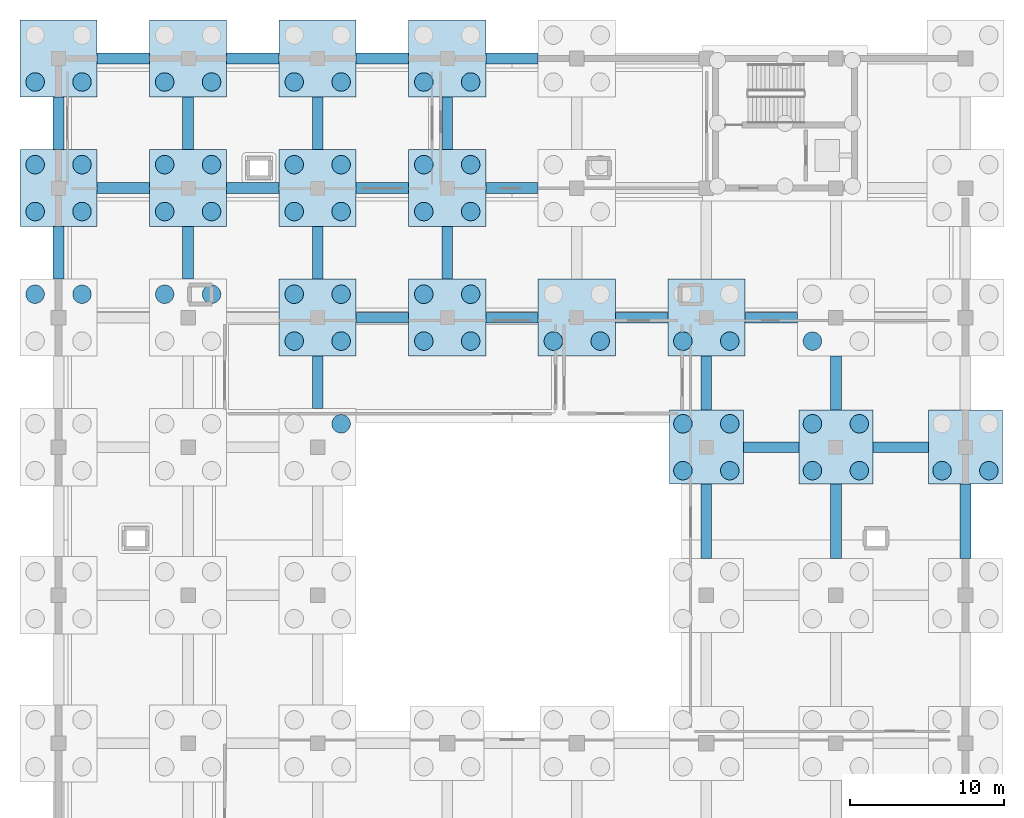
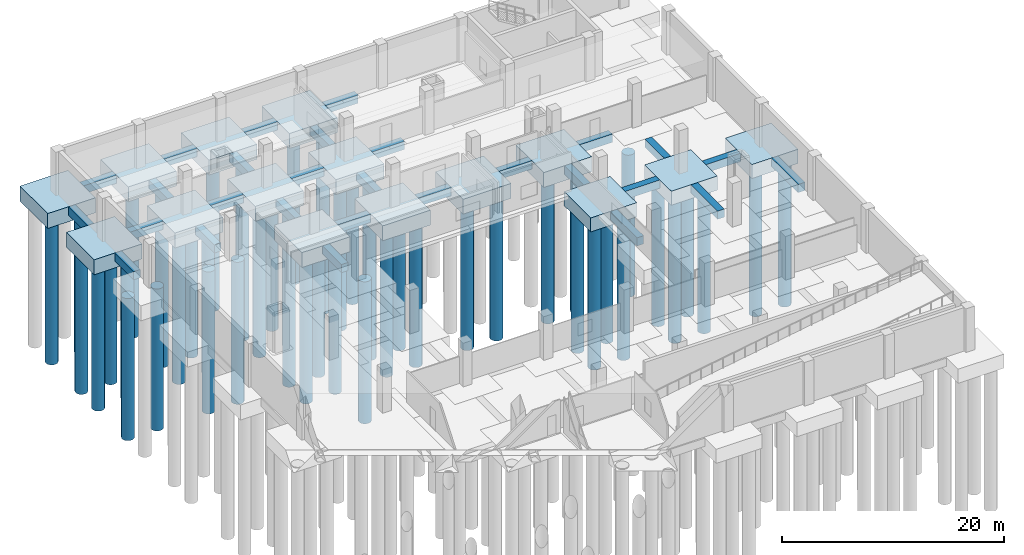
# One storey, part 3 of 12: 52 piles, 43 footings.
"""IFC4 building model written with IfcOpenShell, lengths in metres."""

from ifc_helpers import new_model, si_unit, direction, frame, origin, origin_2d, place, context, subcontext, project, spatial, polyline, circle, outline, extrude, material, layer, layer_set, material_profile, profile_set, type_object, element, save


model = new_model("IFC4")

# Units and contexts
model_context = context("Model", 3, precision=1e-05, world=origin(), true_north=direction((0.0, 1.0)))
body_context = subcontext(model_context, "Body", "Model", "MODEL_VIEW")
ifc_project = project(units=[si_unit("LENGTHUNIT", "METRE"), si_unit("AREAUNIT", "SQUARE_METRE"), si_unit("VOLUMEUNIT", "CUBIC_METRE"), si_unit("PLANEANGLEUNIT", "RADIAN"), si_unit("MASSUNIT", "GRAM", prefix="KILO")], contexts=[model_context])

# Site, building, storey
site_placement = place(None, origin())
site = spatial("IfcSite", under=ifc_project, at=site_placement, CompositionType="ELEMENT")
building_placement = place(site_placement, origin())
building = spatial("IfcBuilding", under=site, at=building_placement, Name="Zulmaris Art Gallery", CompositionType="ELEMENT")
storey_placement = place(building_placement, frame((0.0, 0.0, -4.800048828125)))
storey = spatial("IfcBuildingStorey", under=building, at=storey_placement, Name="B1", CompositionType="ELEMENT", Elevation=-4.800048828125)

# Footings
ifc_material = material(Name="Concrete C40/50", Category="concrete")
ifc_layer_1 = layer(ifc_material, 0.89990234375)
ifc_layer_set_1 = layer_set([ifc_layer_1], Name="Concrete C40/50")
footing_type_1 = type_object("IfcFootingType", Name="FTG-GB02", PredefinedType="FOOTING_BEAM", material=ifc_layer_set_1)
footing_1_placement = place(storey_placement, frame((0.0, 0.0, -0.89990234375)))
element("IfcFooting", 1, at=footing_1_placement, inside=storey, type_object=footing_type_1, Name="B1 ground tie beam X", PredefinedType="FOOTING_BEAM", context=body_context, shape_type="SweptSolid", body=[
    extrude(outline(polyline([(186.0, 50.050048828125), (189.60009765625, 50.050048828125), (189.60009765625, 50.75), (186.0, 50.75), (186.0, 50.050048828125)])), origin(), (0.0, 0.0, 1.0), 0.89990234375),
])
footing_2_placement = place(storey_placement, frame((0.0, 0.0, -0.89990234375)))
element("IfcFooting", 2, at=footing_2_placement, inside=storey, type_object=footing_type_1, Name="B1 ground tie beam X", PredefinedType="FOOTING_BEAM", context=body_context, shape_type="SweptSolid", body=[
    extrude(outline(polyline([(194.39990234375, 50.050048828125), (198.0, 50.050048828125), (198.0, 50.75), (194.39990234375, 50.75), (194.39990234375, 50.050048828125)])), origin(), (0.0, 0.0, 1.0), 0.89990234375),
])
footing_3_placement = place(storey_placement, frame((0.0, 0.0, -0.89990234375)))
element("IfcFooting", 3, at=footing_3_placement, inside=storey, type_object=footing_type_1, Name="B1 ground tie beam X", PredefinedType="FOOTING_BEAM", context=body_context, shape_type="SweptSolid", body=[
    extrude(outline(polyline([(160.89990234375, 58.449951171875), (164.300048828125, 58.449951171875), (164.300048828125, 59.14990234375), (160.89990234375, 59.14990234375), (160.89990234375, 58.449951171875)])), origin(), (0.0, 0.0, 1.0), 0.89990234375),
])
footing_4_placement = place(storey_placement, frame((0.0, 0.0, -0.89990234375)))
element("IfcFooting", 4, at=footing_4_placement, inside=storey, type_object=footing_type_1, Name="B1 ground tie beam X", PredefinedType="FOOTING_BEAM", context=body_context, shape_type="SweptSolid", body=[
    extrude(outline(polyline([(169.300048828125, 58.449951171875), (172.699951171875, 58.449951171875), (172.699951171875, 59.14990234375), (169.300048828125, 59.14990234375), (169.300048828125, 58.449951171875)])), origin(), (0.0, 0.0, 1.0), 0.89990234375),
])
footing_5_placement = place(storey_placement, frame((0.0, 0.0, -0.89990234375)))
element("IfcFooting", 5, at=footing_5_placement, inside=storey, type_object=footing_type_1, Name="B1 ground tie beam X", PredefinedType="FOOTING_BEAM", context=body_context, shape_type="SweptSolid", body=[
    extrude(outline(polyline([(177.699951171875, 58.449951171875), (181.10009765625, 58.449951171875), (181.10009765625, 59.14990234375), (177.699951171875, 59.14990234375), (177.699951171875, 58.449951171875)])), origin(), (0.0, 0.0, 1.0), 0.89990234375),
])
footing_6_placement = place(storey_placement, frame((0.0, 0.0, -0.89990234375)))
element("IfcFooting", 6, at=footing_6_placement, inside=storey, type_object=footing_type_1, Name="B1 ground tie beam X", PredefinedType="FOOTING_BEAM", context=body_context, shape_type="SweptSolid", body=[
    extrude(outline(polyline([(186.10009765625, 58.449951171875), (189.5, 58.449951171875), (189.5, 59.14990234375), (186.10009765625, 59.14990234375), (186.10009765625, 58.449951171875)])), origin(), (0.0, 0.0, 1.0), 0.89990234375),
])
footing_7_placement = place(storey_placement, frame((0.0, 0.0, -0.89990234375)))
element("IfcFooting", 7, at=footing_7_placement, inside=storey, type_object=footing_type_1, Name="B1 ground tie beam X", PredefinedType="FOOTING_BEAM", context=body_context, shape_type="SweptSolid", body=[
    extrude(outline(polyline([(144.10009765625, 66.85009765625), (147.5, 66.85009765625), (147.5, 67.550048828125), (144.10009765625, 67.550048828125), (144.10009765625, 66.85009765625)])), origin(), (0.0, 0.0, 1.0), 0.89990234375),
])
footing_8_placement = place(storey_placement, frame((0.0, 0.0, -0.89990234375)))
element("IfcFooting", 8, at=footing_8_placement, inside=storey, type_object=footing_type_1, Name="B1 ground tie beam X", PredefinedType="FOOTING_BEAM", context=body_context, shape_type="SweptSolid", body=[
    extrude(outline(polyline([(152.5, 66.85009765625), (155.89990234375, 66.85009765625), (155.89990234375, 67.550048828125), (152.5, 67.550048828125), (152.5, 66.85009765625)])), origin(), (0.0, 0.0, 1.0), 0.89990234375),
])
footing_9_placement = place(storey_placement, frame((0.0, 0.0, -0.89990234375)))
element("IfcFooting", 9, at=footing_9_placement, inside=storey, type_object=footing_type_1, Name="B1 ground tie beam X", PredefinedType="FOOTING_BEAM", context=body_context, shape_type="SweptSolid", body=[
    extrude(outline(polyline([(160.89990234375, 66.85009765625), (164.300048828125, 66.85009765625), (164.300048828125, 67.550048828125), (160.89990234375, 67.550048828125), (160.89990234375, 66.85009765625)])), origin(), (0.0, 0.0, 1.0), 0.89990234375),
])
footing_10_placement = place(storey_placement, frame((0.0, 0.0, -0.89990234375)))
element("IfcFooting", 10, at=footing_10_placement, inside=storey, type_object=footing_type_1, Name="B1 ground tie beam X", PredefinedType="FOOTING_BEAM", context=body_context, shape_type="SweptSolid", body=[
    extrude(outline(polyline([(169.300048828125, 66.85009765625), (172.699951171875, 66.85009765625), (172.699951171875, 67.550048828125), (169.300048828125, 67.550048828125), (169.300048828125, 66.85009765625)])), origin(), (0.0, 0.0, 1.0), 0.89990234375),
])
footing_11_placement = place(storey_placement, frame((0.0, 0.0, -0.89990234375)))
element("IfcFooting", 11, at=footing_11_placement, inside=storey, type_object=footing_type_1, Name="B1 ground tie beam X", PredefinedType="FOOTING_BEAM", context=body_context, shape_type="SweptSolid", body=[
    extrude(outline(polyline([(144.10009765625, 75.25), (147.5, 75.25), (147.5, 75.949951171875), (144.10009765625, 75.949951171875), (144.10009765625, 75.25)])), origin(), (0.0, 0.0, 1.0), 0.89990234375),
])
footing_12_placement = place(storey_placement, frame((0.0, 0.0, -0.89990234375)))
element("IfcFooting", 12, at=footing_12_placement, inside=storey, type_object=footing_type_1, Name="B1 ground tie beam X", PredefinedType="FOOTING_BEAM", context=body_context, shape_type="SweptSolid", body=[
    extrude(outline(polyline([(152.5, 75.25), (155.89990234375, 75.25), (155.89990234375, 75.949951171875), (152.5, 75.949951171875), (152.5, 75.25)])), origin(), (0.0, 0.0, 1.0), 0.89990234375),
])
footing_13_placement = place(storey_placement, frame((0.0, 0.0, -0.89990234375)))
element("IfcFooting", 13, at=footing_13_placement, inside=storey, type_object=footing_type_1, Name="B1 ground tie beam X", PredefinedType="FOOTING_BEAM", context=body_context, shape_type="SweptSolid", body=[
    extrude(outline(polyline([(160.89990234375, 75.25), (164.300048828125, 75.25), (164.300048828125, 75.949951171875), (160.89990234375, 75.949951171875), (160.89990234375, 75.25)])), origin(), (0.0, 0.0, 1.0), 0.89990234375),
])
footing_14_placement = place(storey_placement, frame((0.0, 0.0, -0.89990234375)))
element("IfcFooting", 14, at=footing_14_placement, inside=storey, type_object=footing_type_1, Name="B1 ground tie beam X", PredefinedType="FOOTING_BEAM", context=body_context, shape_type="SweptSolid", body=[
    extrude(outline(polyline([(169.300048828125, 75.25), (172.699951171875, 75.25), (172.699951171875, 75.949951171875), (169.300048828125, 75.949951171875), (169.300048828125, 75.25)])), origin(), (0.0, 0.0, 1.0), 0.89990234375),
])
footing_15_placement = place(storey_placement, frame((0.0, 0.0, -0.89990234375)))
element("IfcFooting", 15, at=footing_15_placement, inside=storey, type_object=footing_type_1, Name="B1 ground tie beam Y", PredefinedType="FOOTING_BEAM", context=body_context, shape_type="SweptSolid", body=[
    extrude(outline(polyline([(141.25, 61.300048828125), (141.949951171875, 61.300048828125), (141.949951171875, 64.699951171875), (141.25, 64.699951171875), (141.25, 61.300048828125)])), origin(), (0.0, 0.0, 1.0), 0.89990234375),
])
footing_16_placement = place(storey_placement, frame((0.0, 0.0, -0.89990234375)))
element("IfcFooting", 16, at=footing_16_placement, inside=storey, type_object=footing_type_1, Name="B1 ground tie beam Y", PredefinedType="FOOTING_BEAM", context=body_context, shape_type="SweptSolid", body=[
    extrude(outline(polyline([(141.25, 69.699951171875), (141.949951171875, 69.699951171875), (141.949951171875, 73.10009765625), (141.25, 73.10009765625), (141.25, 69.699951171875)])), origin(), (0.0, 0.0, 1.0), 0.89990234375),
])
footing_17_placement = place(storey_placement, frame((0.0, 0.0, -0.89990234375)))
element("IfcFooting", 17, at=footing_17_placement, inside=storey, type_object=footing_type_1, Name="B1 ground tie beam Y", PredefinedType="FOOTING_BEAM", context=body_context, shape_type="SweptSolid", body=[
    extrude(outline(polyline([(149.64990234375, 61.300048828125), (150.35009765625, 61.300048828125), (150.35009765625, 64.699951171875), (149.64990234375, 64.699951171875), (149.64990234375, 61.300048828125)])), origin(), (0.0, 0.0, 1.0), 0.89990234375),
])
footing_18_placement = place(storey_placement, frame((0.0, 0.0, -0.89990234375)))
element("IfcFooting", 18, at=footing_18_placement, inside=storey, type_object=footing_type_1, Name="B1 ground tie beam Y", PredefinedType="FOOTING_BEAM", context=body_context, shape_type="SweptSolid", body=[
    extrude(outline(polyline([(149.64990234375, 69.699951171875), (150.35009765625, 69.699951171875), (150.35009765625, 73.10009765625), (149.64990234375, 73.10009765625), (149.64990234375, 69.699951171875)])), origin(), (0.0, 0.0, 1.0), 0.89990234375),
])
footing_19_placement = place(storey_placement, frame((0.0, 0.0, -0.89990234375)))
element("IfcFooting", 19, at=footing_19_placement, inside=storey, type_object=footing_type_1, Name="B1 ground tie beam Y", PredefinedType="FOOTING_BEAM", context=body_context, shape_type="SweptSolid", body=[
    extrude(outline(polyline([(158.050048828125, 52.89990234375), (158.75, 52.89990234375), (158.75, 56.300048828125), (158.050048828125, 56.300048828125), (158.050048828125, 52.89990234375)])), origin(), (0.0, 0.0, 1.0), 0.89990234375),
])
footing_20_placement = place(storey_placement, frame((0.0, 0.0, -0.89990234375)))
element("IfcFooting", 20, at=footing_20_placement, inside=storey, type_object=footing_type_1, Name="B1 ground tie beam Y", PredefinedType="FOOTING_BEAM", context=body_context, shape_type="SweptSolid", body=[
    extrude(outline(polyline([(158.050048828125, 61.300048828125), (158.75, 61.300048828125), (158.75, 64.699951171875), (158.050048828125, 64.699951171875), (158.050048828125, 61.300048828125)])), origin(), (0.0, 0.0, 1.0), 0.89990234375),
])
footing_21_placement = place(storey_placement, frame((0.0, 0.0, -0.89990234375)))
element("IfcFooting", 21, at=footing_21_placement, inside=storey, type_object=footing_type_1, Name="B1 ground tie beam Y", PredefinedType="FOOTING_BEAM", context=body_context, shape_type="SweptSolid", body=[
    extrude(outline(polyline([(158.050048828125, 69.699951171875), (158.75, 69.699951171875), (158.75, 73.10009765625), (158.050048828125, 73.10009765625), (158.050048828125, 69.699951171875)])), origin(), (0.0, 0.0, 1.0), 0.89990234375),
])
footing_22_placement = place(storey_placement, frame((0.0, 0.0, -0.89990234375)))
element("IfcFooting", 22, at=footing_22_placement, inside=storey, type_object=footing_type_1, Name="B1 ground tie beam Y", PredefinedType="FOOTING_BEAM", context=body_context, shape_type="SweptSolid", body=[
    extrude(outline(polyline([(166.449951171875, 61.300048828125), (167.14990234375, 61.300048828125), (167.14990234375, 64.699951171875), (166.449951171875, 64.699951171875), (166.449951171875, 61.300048828125)])), origin(), (0.0, 0.0, 1.0), 0.89990234375),
])
footing_23_placement = place(storey_placement, frame((0.0, 0.0, -0.89990234375)))
element("IfcFooting", 23, at=footing_23_placement, inside=storey, type_object=footing_type_1, Name="B1 ground tie beam Y", PredefinedType="FOOTING_BEAM", context=body_context, shape_type="SweptSolid", body=[
    extrude(outline(polyline([(166.449951171875, 69.699951171875), (167.14990234375, 69.699951171875), (167.14990234375, 73.10009765625), (166.449951171875, 73.10009765625), (166.449951171875, 69.699951171875)])), origin(), (0.0, 0.0, 1.0), 0.89990234375),
])
footing_24_placement = place(storey_placement, frame((0.0, 0.0, -0.89990234375)))
element("IfcFooting", 24, at=footing_24_placement, inside=storey, type_object=footing_type_1, Name="B1 ground tie beam Y", PredefinedType="FOOTING_BEAM", context=body_context, shape_type="SweptSolid", body=[
    extrude(outline(polyline([(183.25, 43.199951171875), (183.949951171875, 43.199951171875), (183.949951171875, 48.0), (183.25, 48.0), (183.25, 43.199951171875)])), origin(), (0.0, 0.0, 1.0), 0.89990234375),
])
footing_25_placement = place(storey_placement, frame((0.0, 0.0, -0.89990234375)))
element("IfcFooting", 25, at=footing_25_placement, inside=storey, type_object=footing_type_1, Name="B1 ground tie beam Y", PredefinedType="FOOTING_BEAM", context=body_context, shape_type="SweptSolid", body=[
    extrude(outline(polyline([(183.25, 52.800048828125), (183.949951171875, 52.800048828125), (183.949951171875, 56.300048828125), (183.25, 56.300048828125), (183.25, 52.800048828125)])), origin(), (0.0, 0.0, 1.0), 0.89990234375),
])
footing_26_placement = place(storey_placement, frame((0.0, 0.0, -0.89990234375)))
element("IfcFooting", 26, at=footing_26_placement, inside=storey, type_object=footing_type_1, Name="B1 ground tie beam Y", PredefinedType="FOOTING_BEAM", context=body_context, shape_type="SweptSolid", body=[
    extrude(outline(polyline([(191.64990234375, 43.199951171875), (192.35009765625, 43.199951171875), (192.35009765625, 48.0), (191.64990234375, 48.0), (191.64990234375, 43.199951171875)])), origin(), (0.0, 0.0, 1.0), 0.89990234375),
])
footing_27_placement = place(storey_placement, frame((0.0, 0.0, -0.89990234375)))
element("IfcFooting", 27, at=footing_27_placement, inside=storey, type_object=footing_type_1, Name="B1 ground tie beam Y", PredefinedType="FOOTING_BEAM", context=body_context, shape_type="SweptSolid", body=[
    extrude(outline(polyline([(191.64990234375, 52.800048828125), (192.35009765625, 52.800048828125), (192.35009765625, 56.300048828125), (191.64990234375, 56.300048828125), (191.64990234375, 52.800048828125)])), origin(), (0.0, 0.0, 1.0), 0.89990234375),
])
footing_28_placement = place(storey_placement, frame((0.0, 0.0, -0.89990234375)))
element("IfcFooting", 28, at=footing_28_placement, inside=storey, type_object=footing_type_1, Name="B1 ground tie beam Y", PredefinedType="FOOTING_BEAM", context=body_context, shape_type="SweptSolid", body=[
    extrude(outline(polyline([(200.050048828125, 43.199951171875), (200.75, 43.199951171875), (200.75, 48.0), (200.050048828125, 48.0), (200.050048828125, 43.199951171875)])), origin(), (0.0, 0.0, 1.0), 0.89990234375),
])
ifc_layer_2 = layer(ifc_material, 1.550048828125)
ifc_layer_set_2 = layer_set([ifc_layer_2], Name="Concrete C40/50")
footing_type_2 = type_object("IfcFootingType", Name="FTG-PC03", PredefinedType="PILE_CAP", material=ifc_layer_set_2)
footing_29_placement = place(storey_placement, frame((0.0, 0.0, -1.550048828125)))
element("IfcFooting", 29, at=footing_29_placement, inside=storey, type_object=footing_type_2, Name="B1 pile cap PC03 at (183.6, 50.4)", PredefinedType="PILE_CAP", context=body_context, shape_type="SweptSolid", body=[
    extrude(outline(polyline([(181.199951171875, 48.0), (186.0, 48.0), (186.0, 52.800048828125), (181.199951171875, 52.800048828125), (181.199951171875, 48.0)])), origin(), (0.0, 0.0, 1.0), 1.550048828125),
])
footing_30_placement = place(storey_placement, frame((0.0, 0.0, -1.550048828125)))
element("IfcFooting", 30, at=footing_30_placement, inside=storey, type_object=footing_type_2, Name="B1 pile cap PC03 at (192.0, 50.4)", PredefinedType="PILE_CAP", context=body_context, shape_type="SweptSolid", body=[
    extrude(outline(polyline([(189.60009765625, 48.0), (194.39990234375, 48.0), (194.39990234375, 52.800048828125), (189.60009765625, 52.800048828125), (189.60009765625, 48.0)])), origin(), (0.0, 0.0, 1.0), 1.550048828125),
])
footing_31_placement = place(storey_placement, frame((0.0, 0.0, -1.550048828125)))
element("IfcFooting", 31, at=footing_31_placement, inside=storey, type_object=footing_type_2, Name="B1 pile cap PC03 at (200.4, 50.4)", PredefinedType="PILE_CAP", context=body_context, shape_type="SweptSolid", body=[
    extrude(outline(polyline([(198.0, 48.0), (202.800048828125, 48.0), (202.800048828125, 52.800048828125), (198.0, 52.800048828125), (198.0, 48.0)])), origin(), (0.0, 0.0, 1.0), 1.550048828125),
])
ifc_layer_3 = layer(ifc_material, 1.64990234375)
ifc_layer_set_3 = layer_set([ifc_layer_3], Name="Concrete C40/50")
footing_type_3 = type_object("IfcFootingType", Name="FTG-PC04", PredefinedType="PILE_CAP", material=ifc_layer_set_3)
footing_32_placement = place(storey_placement, frame((0.0, 0.0, -1.64990234375)))
element("IfcFooting", 32, at=footing_32_placement, inside=storey, type_object=footing_type_3, Name="B1 pile cap PC04 at (141.6, 67.2)", PredefinedType="PILE_CAP", context=body_context, shape_type="SweptSolid", body=[
    extrude(outline(polyline([(139.10009765625, 64.699951171875), (144.10009765625, 64.699951171875), (144.10009765625, 69.699951171875), (139.10009765625, 69.699951171875), (139.10009765625, 64.699951171875)])), origin(), (0.0, 0.0, 1.0), 1.64990234375),
])
footing_33_placement = place(storey_placement, frame((0.0, 0.0, -1.64990234375)))
element("IfcFooting", 33, at=footing_33_placement, inside=storey, type_object=footing_type_3, Name="B1 pile cap PC04 at (141.6, 75.6)", PredefinedType="PILE_CAP", context=body_context, shape_type="SweptSolid", body=[
    extrude(outline(polyline([(139.10009765625, 73.10009765625), (144.10009765625, 73.10009765625), (144.10009765625, 78.10009765625), (139.10009765625, 78.10009765625), (139.10009765625, 73.10009765625)])), origin(), (0.0, 0.0, 1.0), 1.64990234375),
])
footing_34_placement = place(storey_placement, frame((0.0, 0.0, -1.64990234375)))
element("IfcFooting", 34, at=footing_34_placement, inside=storey, type_object=footing_type_3, Name="B1 pile cap PC04 at (150.0, 67.2)", PredefinedType="PILE_CAP", context=body_context, shape_type="SweptSolid", body=[
    extrude(outline(polyline([(147.5, 64.699951171875), (152.5, 64.699951171875), (152.5, 69.699951171875), (147.5, 69.699951171875), (147.5, 64.699951171875)])), origin(), (0.0, 0.0, 1.0), 1.64990234375),
])
footing_35_placement = place(storey_placement, frame((0.0, 0.0, -1.64990234375)))
element("IfcFooting", 35, at=footing_35_placement, inside=storey, type_object=footing_type_3, Name="B1 pile cap PC04 at (150.0, 75.6)", PredefinedType="PILE_CAP", context=body_context, shape_type="SweptSolid", body=[
    extrude(outline(polyline([(147.5, 73.10009765625), (152.5, 73.10009765625), (152.5, 78.10009765625), (147.5, 78.10009765625), (147.5, 73.10009765625)])), origin(), (0.0, 0.0, 1.0), 1.64990234375),
])
footing_36_placement = place(storey_placement, frame((0.0, 0.0, -1.64990234375)))
element("IfcFooting", 36, at=footing_36_placement, inside=storey, type_object=footing_type_3, Name="B1 pile cap PC04 at (158.4, 58.8)", PredefinedType="PILE_CAP", context=body_context, shape_type="SweptSolid", body=[
    extrude(outline(polyline([(155.89990234375, 56.300048828125), (160.89990234375, 56.300048828125), (160.89990234375, 61.300048828125), (155.89990234375, 61.300048828125), (155.89990234375, 56.300048828125)])), origin(), (0.0, 0.0, 1.0), 1.64990234375),
])
footing_37_placement = place(storey_placement, frame((0.0, 0.0, -1.64990234375)))
element("IfcFooting", 37, at=footing_37_placement, inside=storey, type_object=footing_type_3, Name="B1 pile cap PC04 at (158.4, 67.2)", PredefinedType="PILE_CAP", context=body_context, shape_type="SweptSolid", body=[
    extrude(outline(polyline([(155.89990234375, 64.699951171875), (160.89990234375, 64.699951171875), (160.89990234375, 69.699951171875), (155.89990234375, 69.699951171875), (155.89990234375, 64.699951171875)])), origin(), (0.0, 0.0, 1.0), 1.64990234375),
])
footing_38_placement = place(storey_placement, frame((0.0, 0.0, -1.64990234375)))
element("IfcFooting", 38, at=footing_38_placement, inside=storey, type_object=footing_type_3, Name="B1 pile cap PC04 at (158.4, 75.6)", PredefinedType="PILE_CAP", context=body_context, shape_type="SweptSolid", body=[
    extrude(outline(polyline([(155.89990234375, 73.10009765625), (160.89990234375, 73.10009765625), (160.89990234375, 78.10009765625), (155.89990234375, 78.10009765625), (155.89990234375, 73.10009765625)])), origin(), (0.0, 0.0, 1.0), 1.64990234375),
])
footing_39_placement = place(storey_placement, frame((0.0, 0.0, -1.64990234375)))
element("IfcFooting", 39, at=footing_39_placement, inside=storey, type_object=footing_type_3, Name="B1 pile cap PC04 at (166.8, 58.8)", PredefinedType="PILE_CAP", context=body_context, shape_type="SweptSolid", body=[
    extrude(outline(polyline([(164.300048828125, 56.300048828125), (169.300048828125, 56.300048828125), (169.300048828125, 61.300048828125), (164.300048828125, 61.300048828125), (164.300048828125, 56.300048828125)])), origin(), (0.0, 0.0, 1.0), 1.64990234375),
])
footing_40_placement = place(storey_placement, frame((0.0, 0.0, -1.64990234375)))
element("IfcFooting", 40, at=footing_40_placement, inside=storey, type_object=footing_type_3, Name="B1 pile cap PC04 at (166.8, 67.2)", PredefinedType="PILE_CAP", context=body_context, shape_type="SweptSolid", body=[
    extrude(outline(polyline([(164.300048828125, 64.699951171875), (169.300048828125, 64.699951171875), (169.300048828125, 69.699951171875), (164.300048828125, 69.699951171875), (164.300048828125, 64.699951171875)])), origin(), (0.0, 0.0, 1.0), 1.64990234375),
])
footing_41_placement = place(storey_placement, frame((0.0, 0.0, -1.64990234375)))
element("IfcFooting", 41, at=footing_41_placement, inside=storey, type_object=footing_type_3, Name="B1 pile cap PC04 at (166.8, 75.6)", PredefinedType="PILE_CAP", context=body_context, shape_type="SweptSolid", body=[
    extrude(outline(polyline([(164.300048828125, 73.10009765625), (169.300048828125, 73.10009765625), (169.300048828125, 78.10009765625), (164.300048828125, 78.10009765625), (164.300048828125, 73.10009765625)])), origin(), (0.0, 0.0, 1.0), 1.64990234375),
])
footing_42_placement = place(storey_placement, frame((0.0, 0.0, -1.64990234375)))
element("IfcFooting", 42, at=footing_42_placement, inside=storey, type_object=footing_type_3, Name="B1 pile cap PC04 at (175.2, 58.8)", PredefinedType="PILE_CAP", context=body_context, shape_type="SweptSolid", body=[
    extrude(outline(polyline([(172.699951171875, 56.300048828125), (177.699951171875, 56.300048828125), (177.699951171875, 61.300048828125), (172.699951171875, 61.300048828125), (172.699951171875, 56.300048828125)])), origin(), (0.0, 0.0, 1.0), 1.64990234375),
])
footing_43_placement = place(storey_placement, frame((0.0, 0.0, -1.64990234375)))
element("IfcFooting", 43, at=footing_43_placement, inside=storey, type_object=footing_type_3, Name="B1 pile cap PC04 at (183.6, 58.8)", PredefinedType="PILE_CAP", context=body_context, shape_type="SweptSolid", body=[
    extrude(outline(polyline([(181.10009765625, 56.300048828125), (186.10009765625, 56.300048828125), (186.10009765625, 61.300048828125), (181.10009765625, 61.300048828125), (181.10009765625, 56.300048828125)])), origin(), (0.0, 0.0, 1.0), 1.64990234375),
])

# Piles
ifc_material_profile = material_profile(ifc_material, circle(Radius=0.60009765625, at=origin_2d()), Name="PILE DIA 1200")
ifc_profile_set = profile_set([ifc_material_profile], Name="Concrete C40/50")
pile_type = type_object("IfcPileType", Name="PILE-1200", PredefinedType="BORED", material=ifc_profile_set)
for number, where, z_axis, x_axis, name in (
    (44, (140.080078125, 60.320068359375, -1.550048828125), (0.0, 0.0, -1.0), (1.0, 0.0, 0.0), "B1 bored pile 3 under FTG-CAP-B1-1416-588"),
    (45, (143.1201171875, 60.320068359375, -1.550048828125), (0.0, 0.0, -1.0), (1.0, 0.0, 0.0), "B1 bored pile 4 under FTG-CAP-B1-1416-588"),
    (46, (140.080078125, 65.679931640625, -1.550048828125), (0.0, 0.0, -1.0), (1.0, 0.0, 0.0), "B1 bored pile 1 under FTG-CAP-B1-1416-672"),
    (47, (143.1201171875, 65.679931640625, -1.550048828125), (0.0, 0.0, -1.0), (1.0, 0.0, 0.0), "B1 bored pile 2 under FTG-CAP-B1-1416-672"),
    (48, (140.080078125, 68.719970703125, -1.550048828125), (0.0, 0.0, -1.0), (1.0, 0.0, 0.0), "B1 bored pile 3 under FTG-CAP-B1-1416-672"),
    (49, (143.1201171875, 68.719970703125, -1.550048828125), (0.0, 0.0, -1.0), (1.0, 0.0, 0.0), "B1 bored pile 4 under FTG-CAP-B1-1416-672"),
    (50, (140.080078125, 74.080078125, -1.550048828125), (0.0, 0.0, -1.0), (1.0, 0.0, 0.0), "B1 bored pile 1 under FTG-CAP-B1-1416-756"),
    (51, (143.1201171875, 74.080078125, -1.550048828125), (0.0, 0.0, -1.0), (1.0, 0.0, 0.0), "B1 bored pile 2 under FTG-CAP-B1-1416-756"),
    (52, (148.47998046875, 60.320068359375, -1.550048828125), (0.0, 0.0, -1.0), (1.0, 0.0, 0.0), "B1 bored pile 3 under FTG-CAP-B1-1500-588"),
    (53, (151.52001953125, 60.320068359375, -1.550048828125), (0.0, 0.0, -1.0), (1.0, 0.0, 0.0), "B1 bored pile 4 under FTG-CAP-B1-1500-588"),
    (54, (148.47998046875, 65.679931640625, -1.550048828125), (0.0, 0.0, -1.0), (1.0, 0.0, 0.0), "B1 bored pile 1 under FTG-CAP-B1-1500-672"),
    (55, (151.52001953125, 65.679931640625, -1.550048828125), (0.0, 0.0, -1.0), (1.0, 0.0, 0.0), "B1 bored pile 2 under FTG-CAP-B1-1500-672"),
    (56, (148.47998046875, 68.719970703125, -1.550048828125), (0.0, 0.0, -1.0), (1.0, 0.0, 0.0), "B1 bored pile 3 under FTG-CAP-B1-1500-672"),
    (57, (151.52001953125, 68.719970703125, -1.550048828125), (0.0, 0.0, -1.0), (1.0, 0.0, 0.0), "B1 bored pile 4 under FTG-CAP-B1-1500-672"),
    (58, (148.47998046875, 74.080078125, -1.550048828125), (0.0, 0.0, -1.0), (1.0, 0.0, 0.0), "B1 bored pile 1 under FTG-CAP-B1-1500-756"),
    (59, (151.52001953125, 74.080078125, -1.550048828125), (0.0, 0.0, -1.0), (1.0, 0.0, 0.0), "B1 bored pile 2 under FTG-CAP-B1-1500-756"),
    (60, (159.919921875, 51.919921875, -1.550048828125), (0.0, 0.0, -1.0), (1.0, 0.0, 0.0), "B1 bored pile 4 under FTG-CAP-B1-1584-504"),
    (61, (156.8798828125, 57.280029296875, -1.550048828125), (0.0, 0.0, -1.0), (1.0, 0.0, 0.0), "B1 bored pile 1 under FTG-CAP-B1-1584-588"),
    (62, (159.919921875, 57.280029296875, -1.550048828125), (0.0, 0.0, -1.0), (1.0, 0.0, 0.0), "B1 bored pile 2 under FTG-CAP-B1-1584-588"),
    (63, (156.8798828125, 60.320068359375, -1.550048828125), (0.0, 0.0, -1.0), (1.0, 0.0, 0.0), "B1 bored pile 3 under FTG-CAP-B1-1584-588"),
    (64, (159.919921875, 60.320068359375, -1.550048828125), (0.0, 0.0, -1.0), (1.0, 0.0, 0.0), "B1 bored pile 4 under FTG-CAP-B1-1584-588"),
    (65, (156.8798828125, 65.679931640625, -1.550048828125), (0.0, 0.0, -1.0), (1.0, 0.0, 0.0), "B1 bored pile 1 under FTG-CAP-B1-1584-672"),
    (66, (159.919921875, 65.679931640625, -1.550048828125), (0.0, 0.0, -1.0), (1.0, 0.0, 0.0), "B1 bored pile 2 under FTG-CAP-B1-1584-672"),
    (67, (156.8798828125, 68.719970703125, -1.550048828125), (0.0, 0.0, -1.0), (1.0, 0.0, 0.0), "B1 bored pile 3 under FTG-CAP-B1-1584-672"),
    (68, (159.919921875, 68.719970703125, -1.550048828125), (0.0, 0.0, -1.0), (1.0, 0.0, 0.0), "B1 bored pile 4 under FTG-CAP-B1-1584-672"),
    (69, (156.8798828125, 74.080078125, -1.550048828125), (0.0, 0.0, -1.0), (1.0, 0.0, 0.0), "B1 bored pile 1 under FTG-CAP-B1-1584-756"),
    (70, (159.919921875, 74.080078125, -1.550048828125), (0.0, 0.0, -1.0), (1.0, 0.0, 0.0), "B1 bored pile 2 under FTG-CAP-B1-1584-756"),
    (71, (165.280029296875, 57.280029296875, -1.550048828125), (0.0, 0.0, -1.0), (1.0, 0.0, 0.0), "B1 bored pile 1 under FTG-CAP-B1-1668-588"),
    (72, (168.320068359375, 57.280029296875, -1.550048828125), (0.0, 0.0, -1.0), (1.0, 0.0, 0.0), "B1 bored pile 2 under FTG-CAP-B1-1668-588"),
    (73, (165.280029296875, 60.320068359375, -1.550048828125), (0.0, 0.0, -1.0), (1.0, 0.0, 0.0), "B1 bored pile 3 under FTG-CAP-B1-1668-588"),
    (74, (168.320068359375, 60.320068359375, -1.550048828125), (0.0, 0.0, -1.0), (1.0, 0.0, 0.0), "B1 bored pile 4 under FTG-CAP-B1-1668-588"),
    (75, (165.280029296875, 65.679931640625, -1.550048828125), (0.0, 0.0, -1.0), (1.0, 0.0, 0.0), "B1 bored pile 1 under FTG-CAP-B1-1668-672"),
    (76, (168.320068359375, 65.679931640625, -1.550048828125), (0.0, 0.0, -1.0), (1.0, 0.0, 0.0), "B1 bored pile 2 under FTG-CAP-B1-1668-672"),
    (77, (165.280029296875, 68.719970703125, -1.550048828125), (0.0, 0.0, -1.0), (1.0, 0.0, 0.0), "B1 bored pile 3 under FTG-CAP-B1-1668-672"),
    (78, (168.320068359375, 68.719970703125, -1.550048828125), (0.0, 0.0, -1.0), (1.0, 0.0, 0.0), "B1 bored pile 4 under FTG-CAP-B1-1668-672"),
    (79, (165.280029296875, 74.080078125, -1.550048828125), (0.0, 0.0, -1.0), (1.0, 0.0, 0.0), "B1 bored pile 1 under FTG-CAP-B1-1668-756"),
    (80, (168.320068359375, 74.080078125, -1.550048828125), (0.0, 0.0, -1.0), (1.0, 0.0, 0.0), "B1 bored pile 2 under FTG-CAP-B1-1668-756"),
    (81, (173.679931640625, 57.280029296875, -1.550048828125), (0.0, 0.0, -1.0), (1.0, 0.0, 0.0), "B1 bored pile 1 under FTG-CAP-B1-1752-588"),
    (82, (176.719970703125, 57.280029296875, -1.550048828125), (0.0, 0.0, -1.0), (1.0, 0.0, 0.0), "B1 bored pile 2 under FTG-CAP-B1-1752-588"),
):
    element("IfcPile", number, at=place(storey_placement, frame(where, z_axis=z_axis, x_axis=x_axis)), inside=storey, type_object=pile_type, Name=name, PredefinedType="BORED", context=body_context, shape_type="SweptSolid", body=[
        extrude(circle(Radius=0.60009765625, at=origin_2d()), origin(), (0.0, 0.0, 1.0), 15.64990234375),
    ])
for number, where, z_axis, x_axis, name in (
    (83, (182.080078125, 48.8798828125, -1.449951171875), (0.0, 0.0, -1.0), (1.0, 0.0, 0.0), "B1 bored pile 1 under FTG-CAP-B1-1836-504"),
    (84, (185.1201171875, 48.8798828125, -1.449951171875), (0.0, 0.0, -1.0), (1.0, 0.0, 0.0), "B1 bored pile 2 under FTG-CAP-B1-1836-504"),
    (85, (182.080078125, 51.919921875, -1.449951171875), (0.0, 0.0, -1.0), (1.0, 0.0, 0.0), "B1 bored pile 3 under FTG-CAP-B1-1836-504"),
    (86, (185.1201171875, 51.919921875, -1.449951171875), (0.0, 0.0, -1.0), (1.0, 0.0, 0.0), "B1 bored pile 4 under FTG-CAP-B1-1836-504"),
):
    element("IfcPile", number, at=place(storey_placement, frame(where, z_axis=z_axis, x_axis=x_axis)), inside=storey, type_object=pile_type, Name=name, PredefinedType="BORED", context=body_context, shape_type="SweptSolid", body=[
        extrude(circle(Radius=0.60009765625, at=origin_2d()), origin(), (0.0, 0.0, 1.0), 15.75),
    ])
for number, where, z_axis, x_axis, name in (
    (87, (182.080078125, 57.280029296875, -1.550048828125), (0.0, 0.0, -1.0), (1.0, 0.0, 0.0), "B1 bored pile 1 under FTG-CAP-B1-1836-588"),
    (88, (185.1201171875, 57.280029296875, -1.550048828125), (0.0, 0.0, -1.0), (1.0, 0.0, 0.0), "B1 bored pile 2 under FTG-CAP-B1-1836-588"),
):
    element("IfcPile", number, at=place(storey_placement, frame(where, z_axis=z_axis, x_axis=x_axis)), inside=storey, type_object=pile_type, Name=name, PredefinedType="BORED", context=body_context, shape_type="SweptSolid", body=[
        extrude(circle(Radius=0.60009765625, at=origin_2d()), origin(), (0.0, 0.0, 1.0), 15.64990234375),
    ])
for number, where, z_axis, x_axis, name in (
    (89, (190.47998046875, 48.8798828125, -1.449951171875), (0.0, 0.0, -1.0), (1.0, 0.0, 0.0), "B1 bored pile 1 under FTG-CAP-B1-1920-504"),
    (90, (193.52001953125, 48.8798828125, -1.449951171875), (0.0, 0.0, -1.0), (1.0, 0.0, 0.0), "B1 bored pile 2 under FTG-CAP-B1-1920-504"),
    (91, (190.47998046875, 51.919921875, -1.449951171875), (0.0, 0.0, -1.0), (1.0, 0.0, 0.0), "B1 bored pile 3 under FTG-CAP-B1-1920-504"),
    (92, (193.52001953125, 51.919921875, -1.449951171875), (0.0, 0.0, -1.0), (1.0, 0.0, 0.0), "B1 bored pile 4 under FTG-CAP-B1-1920-504"),
):
    element("IfcPile", number, at=place(storey_placement, frame(where, z_axis=z_axis, x_axis=x_axis)), inside=storey, type_object=pile_type, Name=name, PredefinedType="BORED", context=body_context, shape_type="SweptSolid", body=[
        extrude(circle(Radius=0.60009765625, at=origin_2d()), origin(), (0.0, 0.0, 1.0), 15.75),
    ])
pile_placement = place(storey_placement, frame((190.47998046875, 57.280029296875, -1.550048828125), z_axis=(0.0, 0.0, -1.0), x_axis=(1.0, 0.0, 0.0)))
element("IfcPile", 93, at=pile_placement, inside=storey, type_object=pile_type, Name="B1 bored pile 1 under FTG-CAP-B1-1920-588", PredefinedType="BORED", context=body_context, shape_type="SweptSolid", body=[
    extrude(circle(Radius=0.60009765625, at=origin_2d()), origin(), (0.0, 0.0, 1.0), 15.64990234375),
])
for number, where, z_axis, x_axis, name in (
    (94, (198.8798828125, 48.8798828125, -1.449951171875), (0.0, 0.0, -1.0), (1.0, 0.0, 0.0), "B1 bored pile 1 under FTG-CAP-B1-2004-504"),
    (95, (201.919921875, 48.8798828125, -1.449951171875), (0.0, 0.0, -1.0), (1.0, 0.0, 0.0), "B1 bored pile 2 under FTG-CAP-B1-2004-504"),
):
    element("IfcPile", number, at=place(storey_placement, frame(where, z_axis=z_axis, x_axis=x_axis)), inside=storey, type_object=pile_type, Name=name, PredefinedType="BORED", context=body_context, shape_type="SweptSolid", body=[
        extrude(circle(Radius=0.60009765625, at=origin_2d()), origin(), (0.0, 0.0, 1.0), 15.75),
    ])

save(model, "model.ifc")
